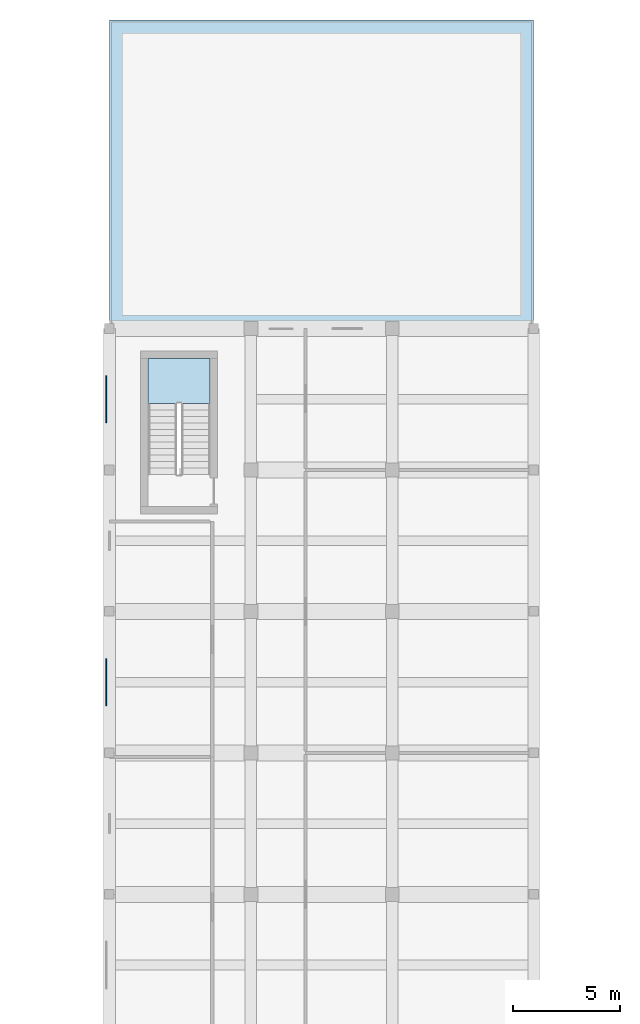
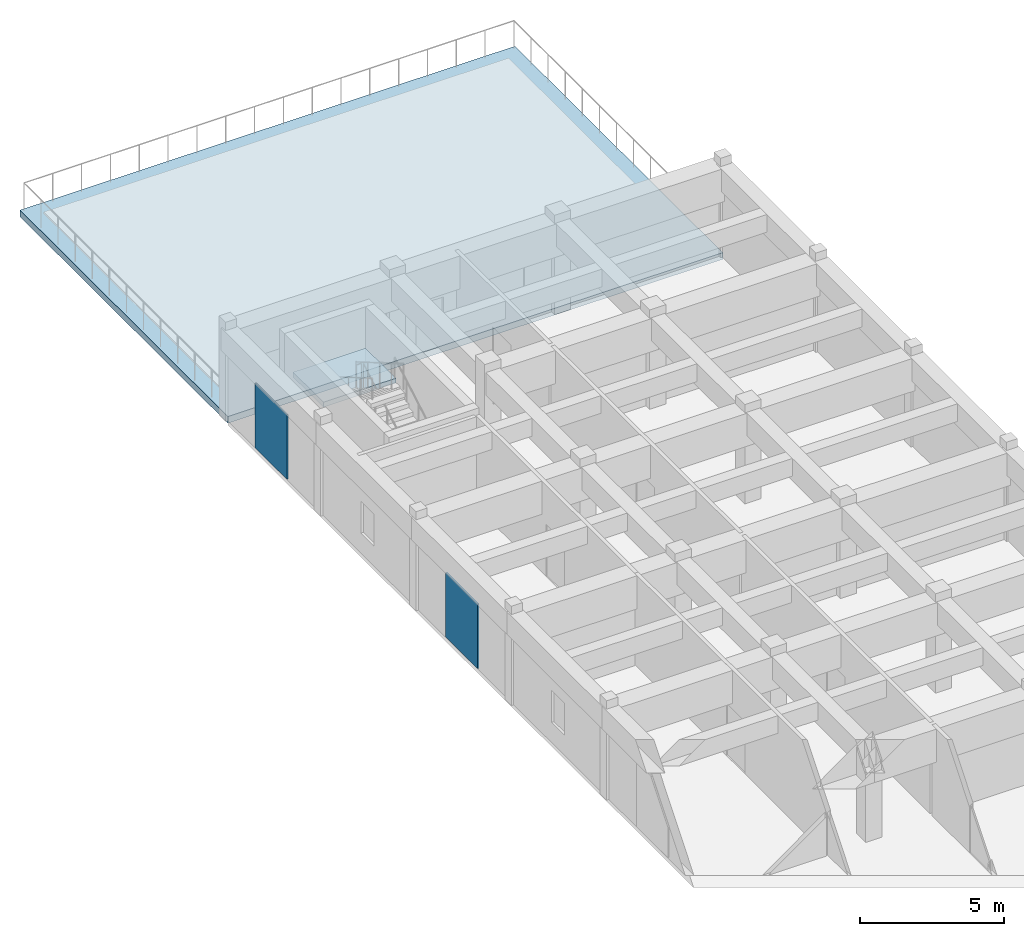
# One storey, part 97 of 130: 2 plates, 2 slabs, 1 element without a shape of its own.
"""IFC4 building model written with IfcOpenShell, lengths in metres."""

from ifc_helpers import new_model, si_unit, direction, frame, origin, origin_2d, place, context, subcontext, project, spatial, polyline, rectangle, outline, extrude, material, layer, layer_set, type_object, element, aggregate, save


model = new_model("IFC4")

# Units and contexts
model_context = context("Model", 3, precision=1e-05, world=origin(), true_north=direction((0.0, 1.0)))
body_context = subcontext(model_context, "Body", "Model", "MODEL_VIEW")
ifc_project = project(units=[si_unit("LENGTHUNIT", "METRE"), si_unit("AREAUNIT", "SQUARE_METRE"), si_unit("VOLUMEUNIT", "CUBIC_METRE"), si_unit("PLANEANGLEUNIT", "RADIAN"), si_unit("MASSUNIT", "GRAM", prefix="KILO")], contexts=[model_context])

# Site, building, storey
site_placement = place(None, origin())
site = spatial("IfcSite", under=ifc_project, at=site_placement, CompositionType="ELEMENT")
building_placement = place(site_placement, origin())
building = spatial("IfcBuilding", under=site, at=building_placement, Name="Karori Crest Natural Sciences Institute", CompositionType="ELEMENT")
storey_placement = place(building_placement, frame((0.0, 0.0, 17.5)))
storey = spatial("IfcBuildingStorey", under=building, at=storey_placement, Name="L04", CompositionType="ELEMENT", Elevation=17.5)

# Plates
ifc_material_1 = material(Name="Anodised architectural aluminium 6063-T6", Category="aluminium")
ifc_layer_1 = layer(ifc_material_1, 0.06396484375, Name="Anodised architectural aluminium 6063-T6")
ifc_layer_set_1 = layer_set([ifc_layer_1], Name="Anodised architectural aluminium 6063-T6")
plate_type = type_object("IfcPlateType", Name="PLT-03", PredefinedType="SHEET", material=ifc_layer_set_1)
for number, where, z_axis, x_axis, name in (
    (1, (7.25, 131.300048828125, 0.07470703125), (0.0, 0.0, 1.0), (1.0, 0.0, 0.0), "Metabolist service chase cladding PL-0014"),
    (2, (7.25, 144.5, 0.07470703125), (0.0, 0.0, 1.0), (1.0, 0.0, 0.0), "Metabolist service chase cladding PL-0015"),
):
    element("IfcPlate", number, at=place(storey_placement, frame(where, z_axis=z_axis, x_axis=x_axis)), inside=storey, type_object=plate_type, Name=name, PredefinedType="SHEET", context=body_context, shape_type="SweptSolid", body=[
        extrude(rectangle(XDim=0.052001953125, YDim=2.199951171875, at=origin_2d()), origin(), (0.0, 0.0, 1.0), 2.735107421875),
    ])

# Stair, slab
ifc_material_2 = material(Name="Concrete 40 MPa", Category="concrete")
stair_type = type_object("IfcStairType", Name="STT-01", PredefinedType="HALF_TURN_STAIR", material=ifc_material_2)
stair_placement = place(storey_placement, origin())
stair = element("IfcStair", 3, at=stair_placement, inside=storey, type_object=stair_type, Name="Protected stair ST-06-L04", PredefinedType="HALF_TURN_STAIR")
ifc_layer_2 = layer(ifc_material_2, 0.2099609375, Name="Concrete 40 MPa")
ifc_layer_set_2 = layer_set([ifc_layer_2], Name="Concrete 40 MPa")
slab_type_1 = type_object("IfcSlabType", Name="SLT-11", PredefinedType="LANDING", material=ifc_layer_set_2)
slab_1_placement = place(storey_placement, frame((0.0, 0.0, 1.889892578125)))
slab_1 = element("IfcSlab", 4, at=slab_1_placement, type_object=slab_type_1, Name="ST-06-L04 landing 1", PredefinedType="LANDING", context=body_context, shape_type="SweptSolid", body=[
    extrude(outline(polyline([(12.10009765625, 144.300048828125), (12.10009765625, 146.39990234375), (9.199951171875, 146.39990234375), (9.199951171875, 144.300048828125), (12.10009765625, 144.300048828125)])), origin(), (0.0, 0.0, 1.0), 0.210205078125),
])
aggregate(stair, [slab_1])

# Slab
ifc_layer_3 = layer(ifc_material_2, 0.280029296875, Name="Concrete 40 MPa")
ifc_layer_set_3 = layer_set([ifc_layer_3], Name="Concrete 40 MPa")
slab_type_2 = type_object("IfcSlabType", Name="SLT-12", PredefinedType="ROOF", material=ifc_layer_set_3)
slab_2_placement = place(storey_placement, frame((0.0, 0.0, -0.280029296875)))
element("IfcSlab", 5, at=slab_2_placement, inside=storey, type_object=slab_type_2, Name="V4-RG Slab SL-0157", PredefinedType="ROOF", context=body_context, shape_type="SweptSolid", body=[
    extrude(outline(polyline([(7.39990234375, 147.800048828125), (27.199951171875, 147.800048828125), (27.199951171875, 162.199951171875), (7.39990234375, 162.199951171875), (7.39990234375, 147.800048828125)])), origin(), (0.0, 0.0, 1.0), 0.280029296875),
])

save(model, "model.ifc")
